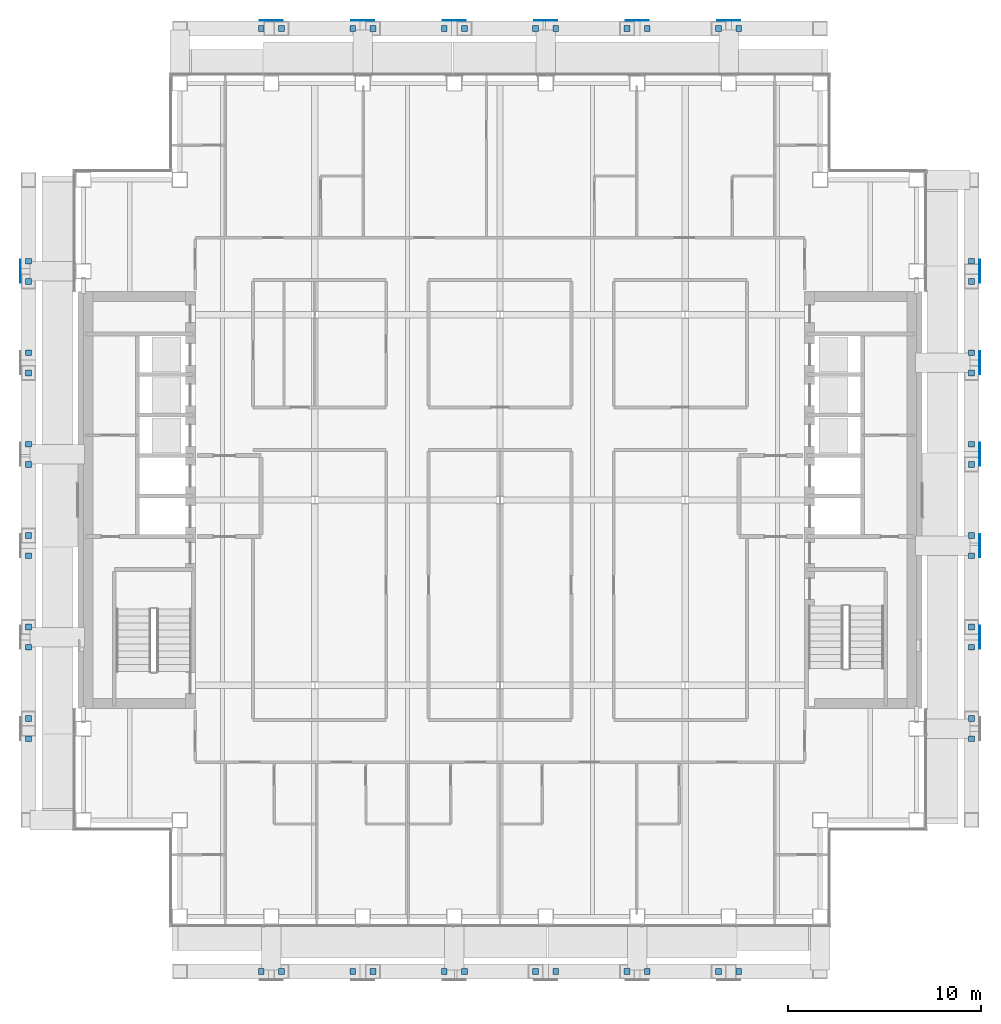
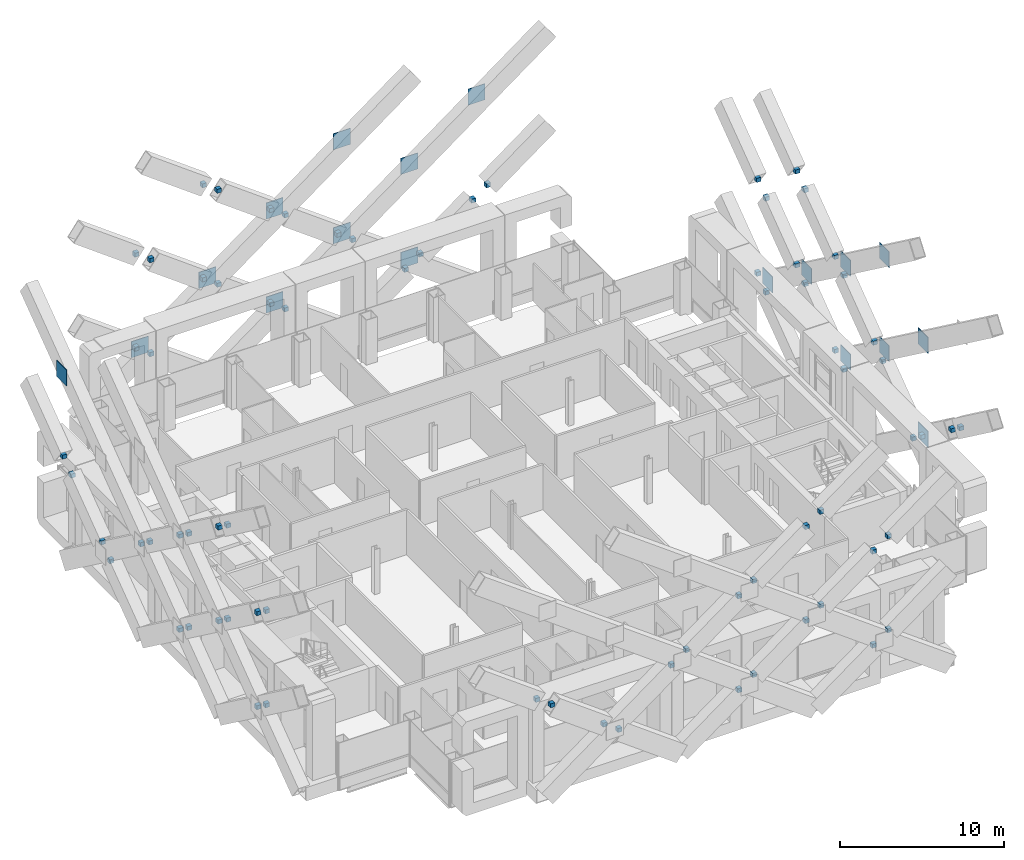
# One storey, part 17 of 25: 90 discrete accessories.
"""IFC4 building model written with IfcOpenShell, lengths in metres."""

from ifc_helpers import new_model, si_unit, direction, frame, origin, origin_2d, place, context, subcontext, project, spatial, rectangle, extrude, material, type_object, element, save


model = new_model("IFC4")

# Units and contexts
model_context = context("Model", 3, precision=1e-05, world=origin(), true_north=direction((0.0, 1.0)))
body_context = subcontext(model_context, "Body", "Model", "MODEL_VIEW")
ifc_project = project(units=[si_unit("LENGTHUNIT", "METRE"), si_unit("AREAUNIT", "SQUARE_METRE"), si_unit("VOLUMEUNIT", "CUBIC_METRE"), si_unit("PLANEANGLEUNIT", "RADIAN"), si_unit("MASSUNIT", "GRAM", prefix="KILO")], contexts=[model_context])

# Site, building, storey
site_placement = place(None, origin())
site = spatial("IfcSite", under=ifc_project, at=site_placement, CompositionType="ELEMENT")
building_placement = place(site_placement, origin())
building = spatial("IfcBuilding", under=site, at=building_placement, Name="Cobrizo Arcos Hotel Tower", CompositionType="ELEMENT")
storey_placement = place(building_placement, frame((0.0, 0.0, 148.0)))
storey = spatial("IfcBuildingStorey", under=building, at=storey_placement, Name="L37", CompositionType="ELEMENT", Elevation=148.0)

# Discrete accessories
ifc_material = material(Name="Steel ASTM A572 Grade 50", Category="steel")
discrete_accessory_type_1 = type_object("IfcDiscreteAccessoryType", Name="GP-1 gusset plate 1200x1200x40", PredefinedType="BRACKET", material=ifc_material)
for number, where, z_axis, x_axis, name in (
    (1, (24.8701171875, -7.1142578125, 3.39990234375), (0.0, 0.0, 1.0), (1.0, 0.0, 0.0), "Gusset plate br-Z3-E-00"),
    (2, (24.8701171875, -2.371337890625, 6.89990234375), (0.0, 0.0, 1.0), (1.0, 0.0, 0.0), "Gusset plate br-Z3-E-03"),
    (3, (24.8701171875, 2.371337890625, 10.39990234375), (0.0, 0.0, 1.0), (1.0, 0.0, 0.0), "Gusset plate br-Z3-E-05"),
    (4, (24.8701171875, 2.371337890625, 3.39990234375), (0.0, 0.0, 1.0), (1.0, 0.0, 0.0), "Gusset plate br-Z3-E-03"),
    (5, (24.8701171875, 7.1142578125, 6.89990234375), (0.0, 0.0, 1.0), (1.0, 0.0, 0.0), "Gusset plate br-Z3-E-05"),
    (6, (24.8701171875, -7.1142578125, 10.39990234375), (0.0, 0.0, 1.0), (1.0, 0.0, 0.0), "Gusset plate br-Z3-E-03"),
    (7, (24.8701171875, 11.857177734375, 3.39990234375), (0.0, 0.0, 1.0), (1.0, 0.0, 0.0), "Gusset plate br-Z3-E-05"),
    (8, (24.8701171875, -2.371337890625, 13.89990234375), (0.0, 0.0, 1.0), (1.0, 0.0, 0.0), "Gusset plate br-Z3-E-05"),
):
    element("IfcDiscreteAccessory", number, at=place(storey_placement, frame(where, z_axis=z_axis, x_axis=x_axis)), inside=storey, type_object=discrete_accessory_type_1, Name=name, PredefinedType="BRACKET", context=body_context, shape_type="SweptSolid", body=[
        extrude(rectangle(XDim=0.0400390625, YDim=1.199951171875, at=origin_2d()), origin(), (0.0, 0.0, 1.0), 1.199951171875),
    ])
for number, where, z_axis, x_axis, name in (
    (9, (7.1142578125, 24.8701171875, 3.39990234375), (0.0, 0.0, 1.0), (1.0, 0.0, 0.0), "Gusset plate br-Z3-N-00"),
    (10, (2.371337890625, 24.8701171875, 6.89990234375), (0.0, 0.0, 1.0), (1.0, 0.0, 0.0), "Gusset plate br-Z3-N-03"),
    (11, (-2.371337890625, 24.8701171875, 10.39990234375), (0.0, 0.0, 1.0), (1.0, 0.0, 0.0), "Gusset plate br-Z3-N-05"),
    (12, (-2.371337890625, 24.8701171875, 3.39990234375), (0.0, 0.0, 1.0), (1.0, 0.0, 0.0), "Gusset plate br-Z3-N-03"),
    (13, (-7.1142578125, 24.8701171875, 6.89990234375), (0.0, 0.0, 1.0), (1.0, 0.0, 0.0), "Gusset plate br-Z3-N-05"),
    (14, (7.1142578125, 24.8701171875, 10.39990234375), (0.0, 0.0, 1.0), (1.0, 0.0, 0.0), "Gusset plate br-Z3-N-03"),
    (15, (11.857177734375, 24.8701171875, 13.89990234375), (0.0, 0.0, 1.0), (1.0, 0.0, 0.0), "Gusset plate br-Z3-N-03"),
    (16, (-11.857177734375, 24.8701171875, 3.39990234375), (0.0, 0.0, 1.0), (1.0, 0.0, 0.0), "Gusset plate br-Z3-N-05"),
    (17, (2.371337890625, 24.8701171875, 13.89990234375), (0.0, 0.0, 1.0), (1.0, 0.0, 0.0), "Gusset plate br-Z3-N-05"),
):
    element("IfcDiscreteAccessory", number, at=place(storey_placement, frame(where, z_axis=z_axis, x_axis=x_axis)), inside=storey, type_object=discrete_accessory_type_1, Name=name, PredefinedType="BRACKET", context=body_context, shape_type="SweptSolid", body=[
        extrude(rectangle(XDim=1.199951171875, YDim=0.0400390625, at=origin_2d()), origin(), (0.0, 0.0, 1.0), 1.199951171875),
    ])
discrete_accessory_placement = place(storey_placement, frame((-24.8701171875, 11.857177734375, 13.89990234375), z_axis=(0.0, 0.0, 1.0), x_axis=(1.0, 0.0, 0.0)))
element("IfcDiscreteAccessory", 18, at=discrete_accessory_placement, inside=storey, type_object=discrete_accessory_type_1, Name="Gusset plate br-Z3-W-03", PredefinedType="BRACKET", context=body_context, shape_type="SweptSolid", body=[
    extrude(rectangle(XDim=0.0400390625, YDim=1.199951171875, at=origin_2d()), origin(), (0.0, 0.0, 1.0), 1.199951171875),
])
discrete_accessory_type_2 = type_object("IfcDiscreteAccessoryType", Name="GP-5 brace end plate 300x300x300", PredefinedType="BRACKET", material=ifc_material)
for number, where, z_axis, x_axis, name in (
    (19, (24.449951171875, -2.89453125, 6.9638671875), (0.0, 0.0, 1.0), (1.0, 0.0, 0.0), "Brace end plate"),
    (20, (24.449951171875, -1.84814453125, 7.73583984375), (0.0, 0.0, 1.0), (1.0, 0.0, 0.0), "Brace end plate"),
    (21, (24.449951171875, 1.84814453125, 10.4638671875), (0.0, 0.0, 1.0), (1.0, 0.0, 0.0), "Brace end plate"),
    (22, (24.449951171875, 2.89453125, 11.23583984375), (0.0, 0.0, 1.0), (1.0, 0.0, 0.0), "Brace end plate"),
    (23, (24.449951171875, 6.591064453125, 13.9638671875), (0.0, 0.0, 1.0), (1.0, 0.0, 0.0), "Brace end plate"),
    (24, (24.449951171875, 7.637451171875, 14.73583984375), (0.0, 0.0, 1.0), (1.0, 0.0, 0.0), "Brace end plate"),
    (25, (24.449951171875, -6.591064453125, 3.4638671875), (0.0, 0.0, 1.0), (1.0, 0.0, 0.0), "Brace end plate"),
    (26, (24.449951171875, -7.637451171875, 4.23583984375), (0.0, 0.0, 1.0), (1.0, 0.0, 0.0), "Brace end plate"),
    (27, (24.449951171875, -11.333984375, 6.9638671875), (0.0, 0.0, 1.0), (1.0, 0.0, 0.0), "Brace end plate"),
    (28, (24.449951171875, -12.38037109375, 7.73583984375), (0.0, 0.0, 1.0), (1.0, 0.0, 0.0), "Brace end plate"),
    (29, (24.449951171875, 1.84814453125, 3.4638671875), (0.0, 0.0, 1.0), (1.0, 0.0, 0.0), "Brace end plate"),
    (30, (24.449951171875, 2.89453125, 4.23583984375), (0.0, 0.0, 1.0), (1.0, 0.0, 0.0), "Brace end plate"),
    (31, (24.449951171875, 6.591064453125, 6.9638671875), (0.0, 0.0, 1.0), (1.0, 0.0, 0.0), "Brace end plate"),
    (32, (24.449951171875, 7.637451171875, 7.73583984375), (0.0, 0.0, 1.0), (1.0, 0.0, 0.0), "Brace end plate"),
    (33, (24.449951171875, 11.333984375, 10.4638671875), (0.0, 0.0, 1.0), (1.0, 0.0, 0.0), "Brace end plate"),
    (34, (24.449951171875, 12.38037109375, 11.23583984375), (0.0, 0.0, 1.0), (1.0, 0.0, 0.0), "Brace end plate"),
    (35, (24.449951171875, 11.333984375, 3.4638671875), (0.0, 0.0, 1.0), (1.0, 0.0, 0.0), "Brace end plate"),
    (36, (24.449951171875, 12.38037109375, 4.23583984375), (0.0, 0.0, 1.0), (1.0, 0.0, 0.0), "Brace end plate"),
    (37, (2.89453125, 24.449951171875, 6.9638671875), (0.0, 0.0, 1.0), (1.0, 0.0, 0.0), "Brace end plate"),
    (38, (1.84814453125, 24.449951171875, 7.73583984375), (0.0, 0.0, 1.0), (1.0, 0.0, 0.0), "Brace end plate"),
    (39, (-1.84814453125, 24.449951171875, 10.4638671875), (0.0, 0.0, 1.0), (1.0, 0.0, 0.0), "Brace end plate"),
    (40, (-2.89453125, 24.449951171875, 11.23583984375), (0.0, 0.0, 1.0), (1.0, 0.0, 0.0), "Brace end plate"),
    (41, (-6.591064453125, 24.449951171875, 13.9638671875), (0.0, 0.0, 1.0), (1.0, 0.0, 0.0), "Brace end plate"),
    (42, (-7.637451171875, 24.449951171875, 14.73583984375), (0.0, 0.0, 1.0), (1.0, 0.0, 0.0), "Brace end plate"),
    (43, (6.591064453125, 24.449951171875, 3.4638671875), (0.0, 0.0, 1.0), (1.0, 0.0, 0.0), "Brace end plate"),
    (44, (7.637451171875, 24.449951171875, 4.23583984375), (0.0, 0.0, 1.0), (1.0, 0.0, 0.0), "Brace end plate"),
    (45, (11.333984375, 24.449951171875, 6.9638671875), (0.0, 0.0, 1.0), (1.0, 0.0, 0.0), "Brace end plate"),
    (46, (12.38037109375, 24.449951171875, 7.73583984375), (0.0, 0.0, 1.0), (1.0, 0.0, 0.0), "Brace end plate"),
    (47, (-1.84814453125, 24.449951171875, 3.4638671875), (0.0, 0.0, 1.0), (1.0, 0.0, 0.0), "Brace end plate"),
    (48, (-2.89453125, 24.449951171875, 4.23583984375), (0.0, 0.0, 1.0), (1.0, 0.0, 0.0), "Brace end plate"),
    (49, (-6.591064453125, 24.449951171875, 6.9638671875), (0.0, 0.0, 1.0), (1.0, 0.0, 0.0), "Brace end plate"),
    (50, (-7.637451171875, 24.449951171875, 7.73583984375), (0.0, 0.0, 1.0), (1.0, 0.0, 0.0), "Brace end plate"),
    (51, (-11.333984375, 24.449951171875, 10.4638671875), (0.0, 0.0, 1.0), (1.0, 0.0, 0.0), "Brace end plate"),
    (52, (-12.38037109375, 24.449951171875, 11.23583984375), (0.0, 0.0, 1.0), (1.0, 0.0, 0.0), "Brace end plate"),
    (53, (-11.333984375, 24.449951171875, 3.4638671875), (0.0, 0.0, 1.0), (1.0, 0.0, 0.0), "Brace end plate"),
    (54, (-12.38037109375, 24.449951171875, 4.23583984375), (0.0, 0.0, 1.0), (1.0, 0.0, 0.0), "Brace end plate"),
    (55, (-2.89453125, -24.449951171875, 6.9638671875), (0.0, 0.0, 1.0), (1.0, 0.0, 0.0), "Brace end plate"),
    (56, (-1.84814453125, -24.449951171875, 7.73583984375), (0.0, 0.0, 1.0), (1.0, 0.0, 0.0), "Brace end plate"),
    (57, (1.84814453125, -24.449951171875, 10.4638671875), (0.0, 0.0, 1.0), (1.0, 0.0, 0.0), "Brace end plate"),
    (58, (2.89453125, -24.449951171875, 11.23583984375), (0.0, 0.0, 1.0), (1.0, 0.0, 0.0), "Brace end plate"),
    (59, (6.591064453125, -24.449951171875, 13.9638671875), (0.0, 0.0, 1.0), (1.0, 0.0, 0.0), "Brace end plate"),
    (60, (7.637451171875, -24.449951171875, 14.73583984375), (0.0, 0.0, 1.0), (1.0, 0.0, 0.0), "Brace end plate"),
    (61, (-6.591064453125, -24.449951171875, 3.4638671875), (0.0, 0.0, 1.0), (1.0, 0.0, 0.0), "Brace end plate"),
    (62, (-7.637451171875, -24.449951171875, 4.23583984375), (0.0, 0.0, 1.0), (1.0, 0.0, 0.0), "Brace end plate"),
    (63, (-11.333984375, -24.449951171875, 6.9638671875), (0.0, 0.0, 1.0), (1.0, 0.0, 0.0), "Brace end plate"),
    (64, (-12.38037109375, -24.449951171875, 7.73583984375), (0.0, 0.0, 1.0), (1.0, 0.0, 0.0), "Brace end plate"),
    (65, (1.84814453125, -24.449951171875, 3.4638671875), (0.0, 0.0, 1.0), (1.0, 0.0, 0.0), "Brace end plate"),
    (66, (2.89453125, -24.449951171875, 4.23583984375), (0.0, 0.0, 1.0), (1.0, 0.0, 0.0), "Brace end plate"),
    (67, (6.591064453125, -24.449951171875, 6.9638671875), (0.0, 0.0, 1.0), (1.0, 0.0, 0.0), "Brace end plate"),
    (68, (7.637451171875, -24.449951171875, 7.73583984375), (0.0, 0.0, 1.0), (1.0, 0.0, 0.0), "Brace end plate"),
    (69, (11.333984375, -24.449951171875, 10.4638671875), (0.0, 0.0, 1.0), (1.0, 0.0, 0.0), "Brace end plate"),
    (70, (12.38037109375, -24.449951171875, 11.23583984375), (0.0, 0.0, 1.0), (1.0, 0.0, 0.0), "Brace end plate"),
    (71, (11.333984375, -24.449951171875, 3.4638671875), (0.0, 0.0, 1.0), (1.0, 0.0, 0.0), "Brace end plate"),
    (72, (12.38037109375, -24.449951171875, 4.23583984375), (0.0, 0.0, 1.0), (1.0, 0.0, 0.0), "Brace end plate"),
    (73, (-24.449951171875, 2.89453125, 6.9638671875), (0.0, 0.0, 1.0), (1.0, 0.0, 0.0), "Brace end plate"),
    (74, (-24.449951171875, 1.84814453125, 7.73583984375), (0.0, 0.0, 1.0), (1.0, 0.0, 0.0), "Brace end plate"),
    (75, (-24.449951171875, -1.84814453125, 10.4638671875), (0.0, 0.0, 1.0), (1.0, 0.0, 0.0), "Brace end plate"),
    (76, (-24.449951171875, -2.89453125, 11.23583984375), (0.0, 0.0, 1.0), (1.0, 0.0, 0.0), "Brace end plate"),
    (77, (-24.449951171875, -6.591064453125, 13.9638671875), (0.0, 0.0, 1.0), (1.0, 0.0, 0.0), "Brace end plate"),
    (78, (-24.449951171875, -7.637451171875, 14.73583984375), (0.0, 0.0, 1.0), (1.0, 0.0, 0.0), "Brace end plate"),
    (79, (-24.449951171875, 6.591064453125, 3.4638671875), (0.0, 0.0, 1.0), (1.0, 0.0, 0.0), "Brace end plate"),
    (80, (-24.449951171875, 7.637451171875, 4.23583984375), (0.0, 0.0, 1.0), (1.0, 0.0, 0.0), "Brace end plate"),
    (81, (-24.449951171875, 11.333984375, 6.9638671875), (0.0, 0.0, 1.0), (1.0, 0.0, 0.0), "Brace end plate"),
    (82, (-24.449951171875, 12.38037109375, 7.73583984375), (0.0, 0.0, 1.0), (1.0, 0.0, 0.0), "Brace end plate"),
    (83, (-24.449951171875, -1.84814453125, 3.4638671875), (0.0, 0.0, 1.0), (1.0, 0.0, 0.0), "Brace end plate"),
    (84, (-24.449951171875, -2.89453125, 4.23583984375), (0.0, 0.0, 1.0), (1.0, 0.0, 0.0), "Brace end plate"),
    (85, (-24.449951171875, -6.591064453125, 6.9638671875), (0.0, 0.0, 1.0), (1.0, 0.0, 0.0), "Brace end plate"),
    (86, (-24.449951171875, -7.637451171875, 7.73583984375), (0.0, 0.0, 1.0), (1.0, 0.0, 0.0), "Brace end plate"),
    (87, (-24.449951171875, -11.333984375, 10.4638671875), (0.0, 0.0, 1.0), (1.0, 0.0, 0.0), "Brace end plate"),
    (88, (-24.449951171875, -12.38037109375, 11.23583984375), (0.0, 0.0, 1.0), (1.0, 0.0, 0.0), "Brace end plate"),
    (89, (-24.449951171875, -11.333984375, 3.4638671875), (0.0, 0.0, 1.0), (1.0, 0.0, 0.0), "Brace end plate"),
    (90, (-24.449951171875, -12.38037109375, 4.23583984375), (0.0, 0.0, 1.0), (1.0, 0.0, 0.0), "Brace end plate"),
):
    element("IfcDiscreteAccessory", number, at=place(storey_placement, frame(where, z_axis=z_axis, x_axis=x_axis)), inside=storey, type_object=discrete_accessory_type_2, Name=name, PredefinedType="BRACKET", context=body_context, shape_type="SweptSolid", body=[
        extrude(rectangle(XDim=0.300048828125, YDim=0.300048828125, at=origin_2d()), origin(), (0.0, 0.0, 1.0), 0.300048828125),
    ])

save(model, "model.ifc")
